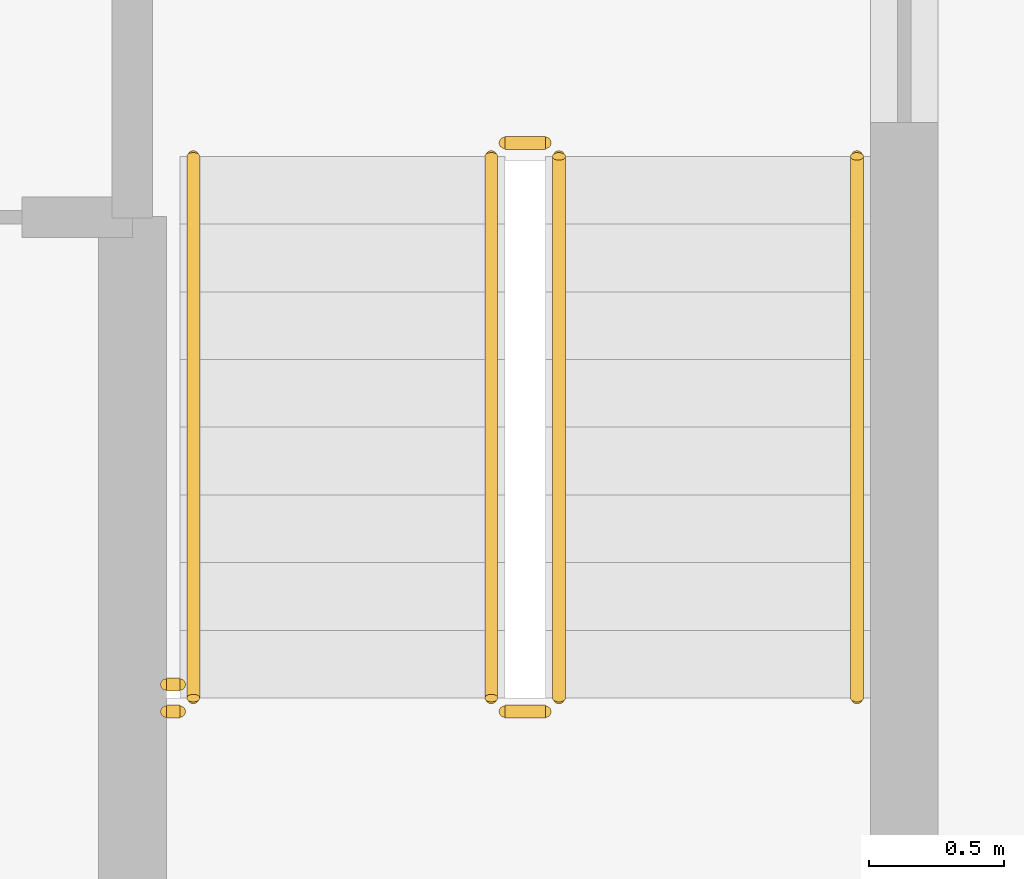
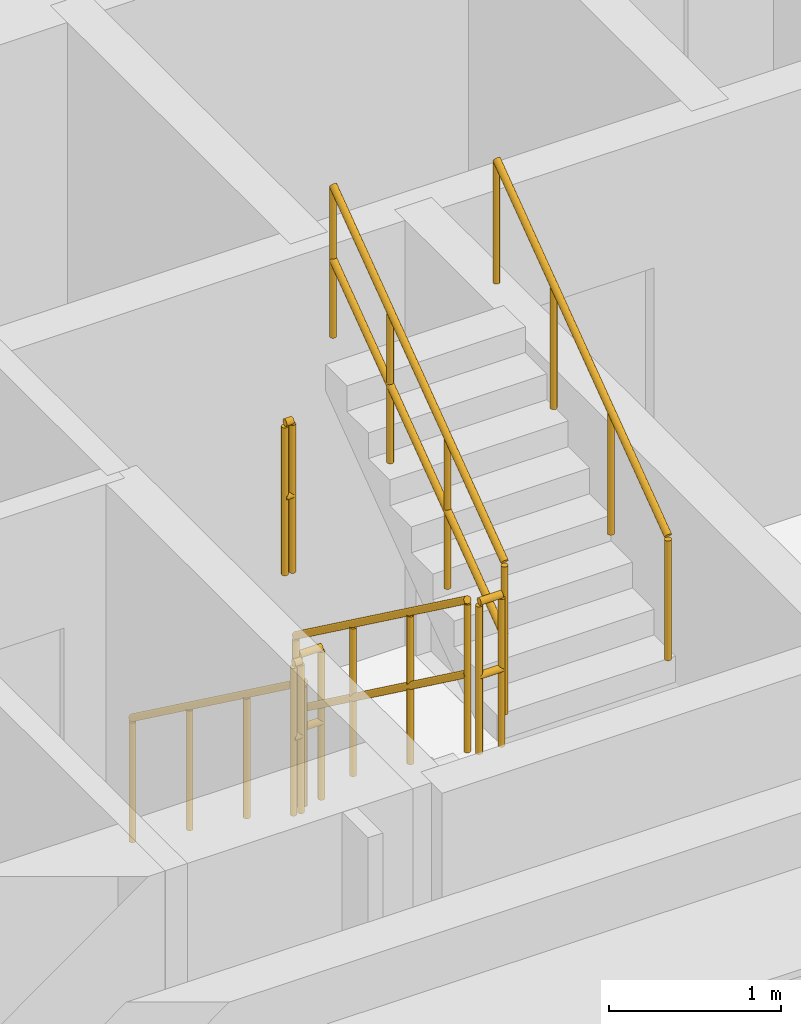
# One storey, part 15 of 17: 8 railings.
"""IFC4 building model written with IfcOpenShell, lengths in metres."""

import ifcopenshell
import ifcopenshell.guid

model = None  # the IFC model being written
_history = None  # IfcOwnerHistory: only IFC2X3 demands one
_inside = {}  # id of a spatial element -> (the spatial element, [elements in it])
_under = {}  # id of a project, library or spatial element -> (it, [spatial elements below it])
_declared = {}  # id of a project -> (the project, [libraries it declares])
_typed = {}  # id of a type object -> (the type object, [elements of that type])
_made_of = {}  # id of a material, layer set ... -> (it, [elements and type objects made of it])


def new_model(schema):
    """Start an empty IFC model of exactly this schema.

    Asked for "IFC4X3", IfcOpenShell would pick the latest addendum, in which some entities
    have other attributes; the version numbers below select the first issue.
    IFC2X3 requires an IfcOwnerHistory on every rooted entity: one is made here for all.
    """
    global model, _history
    if schema == "IFC4X3":
        model = ifcopenshell.file(schema_version=(4, 3, 0, 0))
    else:
        model = ifcopenshell.file(schema=schema)
    _inside.clear()
    _under.clear()
    _declared.clear()
    _typed.clear()
    _made_of.clear()
    _history = None
    if model.schema == "IFC2X3":
        org = make("IfcOrganization", Name="unknown")
        user = make(
            "IfcPersonAndOrganization",
            ThePerson=make("IfcPerson", FamilyName="unknown"),
            TheOrganization=org,
        )
        app = make(
            "IfcApplication",
            ApplicationDeveloper=org,
            Version="unknown",
            ApplicationFullName="unknown",
            ApplicationIdentifier="unknown",
        )
        _history = make(
            "IfcOwnerHistory",
            OwningUser=user,
            OwningApplication=app,
            ChangeAction="ADDED",
            CreationDate=0,
        )
    return model


def make(cls, **values):
    """One entity of the class cls with the attributes given. An attribute that is None is left unset."""
    return model.create_entity(
        cls, **{name: value for name, value in values.items() if value is not None}
    )


def rooted(cls, **values):
    """An entity with a GlobalId (a new one), such as an element, a storey or a relation."""
    return make(cls, GlobalId=ifcopenshell.guid.new(), OwnerHistory=_history, **values)


def si_unit(unit_type, name, prefix=None):
    """IfcSIUnit, for example si_unit("LENGTHUNIT", "METRE", prefix="MILLI")."""
    return make("IfcSIUnit", UnitType=unit_type, Prefix=prefix, Name=name)


def assignment(units):
    """IfcUnitAssignment: the units of a project."""
    return None if units is None else make("IfcUnitAssignment", Units=units)


def point(xyz):
    """IfcCartesianPoint."""
    return None if xyz is None else make("IfcCartesianPoint", Coordinates=xyz)


def direction(xyz):
    """IfcDirection."""
    return None if xyz is None else make("IfcDirection", DirectionRatios=xyz)


def frame(location, z_axis=None, x_axis=None):
    """IfcAxis2Placement3D, a coordinate frame: its origin and axes. An axis left out is left unset."""
    return make(
        "IfcAxis2Placement3D",
        Location=point(location),
        Axis=direction(z_axis),
        RefDirection=direction(x_axis),
    )


def frame_2d(location, x_axis=None):
    """IfcAxis2Placement2D, a coordinate frame in the plane: its origin and x axis."""
    return make(
        "IfcAxis2Placement2D", Location=point(location), RefDirection=direction(x_axis)
    )


def origin():
    """The frame at (0, 0, 0) with its axes left unset."""
    return frame((0.0, 0.0, 0.0))


def origin_2d():
    """The frame at (0, 0) in the plane with its x axis left unset."""
    return frame_2d((0.0, 0.0))


def place(relative_to, where):
    """IfcLocalPlacement: puts the frame where relative to a parent placement (None: the world)."""
    return make(
        "IfcLocalPlacement", PlacementRelTo=relative_to, RelativePlacement=where
    )


def context(
    kind, dimensions, precision=None, world=None, true_north=None, identifier=None
):
    """IfcGeometricRepresentationContext, for example the 3D "Model" context."""
    return make(
        "IfcGeometricRepresentationContext",
        ContextIdentifier=identifier,
        ContextType=kind,
        CoordinateSpaceDimension=dimensions,
        Precision=precision,
        WorldCoordinateSystem=world,
        TrueNorth=true_north,
    )


def subcontext(parent, identifier, kind, view, scale=None):
    """IfcGeometricRepresentationSubContext, for example "Body" below "Model"."""
    return make(
        "IfcGeometricRepresentationSubContext",
        ContextIdentifier=identifier,
        ContextType=kind,
        ParentContext=parent,
        TargetScale=scale,
        TargetView=view,
    )


def project(units=None, contexts=None):
    """IfcProject with its units and contexts."""
    return rooted(
        "IfcProject",
        Name="project",
        RepresentationContexts=contexts,
        UnitsInContext=assignment(units),
    )


def spatial(cls, under=None, at=None, **own):
    """A site, building, storey or space (cls), placed at a placement, below another one or the project."""
    s = rooted(cls, ObjectPlacement=at, **own)
    if under is not None:
        _under.setdefault(under.id(), (under, []))[1].append(s)
    return s


def profile(cls, at=None, kind="AREA", **sizes):
    """A parametric profile (cls). Its sizes go by their IFC names, for example OverallWidth=200.0."""
    return make(cls, ProfileType=kind, Position=at, **sizes)


def circle(**sizes):
    """IfcCircleProfileDef."""
    return profile("IfcCircleProfileDef", **sizes)


def extrude(swept, where, along, depth):
    """IfcExtrudedAreaSolid: the profile swept, set in the frame where, extruded along a direction by depth."""
    return make(
        "IfcExtrudedAreaSolid",
        SweptArea=swept,
        Position=where,
        ExtrudedDirection=direction(along),
        Depth=depth,
    )


def shape(context_of_items, identifier, shape_type, items):
    """IfcShapeRepresentation: the items that make up one representation, for example the "Body"."""
    return make(
        "IfcShapeRepresentation",
        ContextOfItems=context_of_items,
        RepresentationIdentifier=identifier,
        RepresentationType=shape_type,
        Items=items,
    )


def material(Name=None, Category=None):
    """IfcMaterial."""
    return make("IfcMaterial", Name=Name, Category=Category)


def made_of(thing, what):
    """Note that an element or type object is made of a material, layer set ...; save() writes the relation."""
    if what is not None:
        _made_of.setdefault(what.id(), (what, []))[1].append(thing)
    return thing


def type_object(cls, material=None, **own):
    """A type object (cls), such as IfcWallType, which elements share."""
    return made_of(rooted(cls, **own), material)


def element(
    cls,
    number,
    at=None,
    inside=None,
    cuts=None,
    type_object=None,
    material=None,
    context=None,
    identifier="Body",
    shape_type=None,
    held_by="IfcProductDefinitionShape",
    body=None,
    shapes=None,
    **own,
):
    """One element of the class cls, such as IfcWall. Its Tag is "e" and its number.

    at: its placement. inside: the storey or other place that contains it. cuts: it is an
    opening in that element (IfcRelVoidsElement). A single representation is given by context,
    identifier, shape_type and body (its items); several are given by shapes. held_by: the class
    of the entity that holds the representations. save() writes the other relations.
    """
    e = rooted(cls, Tag="e%d" % number, ObjectPlacement=at, **own)
    if body is not None:
        shapes = [shape(context, identifier, shape_type, body)]
    if shapes is not None:
        e.Representation = make(held_by, Representations=shapes)
    if inside is not None:
        _inside.setdefault(inside.id(), (inside, []))[1].append(e)
    if cuts is not None:
        rooted(
            "IfcRelVoidsElement", RelatingBuildingElement=cuts, RelatedOpeningElement=e
        )
    if type_object is not None:
        _typed.setdefault(type_object.id(), (type_object, []))[1].append(e)
    return made_of(e, material)


def aggregate(whole, parts):
    """IfcRelAggregates: a whole, such as a stair, and the parts it consists of."""
    return rooted("IfcRelAggregates", RelatingObject=whole, RelatedObjects=parts)


def save(model, path):
    """Write the relations noted so far, then the file.

    IfcRelAggregates (storeys below a building ...), IfcRelContainedInSpatialStructure (elements
    in a storey), IfcRelDefinesByType, IfcRelAssociatesMaterial and IfcRelDeclares: one each for
    every whole, place, type object, material and project.
    """
    for whole, parts in _under.values():
        aggregate(whole, parts)
    for where, things in _inside.values():
        rooted(
            "IfcRelContainedInSpatialStructure",
            RelatedElements=things,
            RelatingStructure=where,
        )
    for kind, things in _typed.values():
        rooted("IfcRelDefinesByType", RelatedObjects=things, RelatingType=kind)
    for what, things in _made_of.values():
        rooted("IfcRelAssociatesMaterial", RelatedObjects=things, RelatingMaterial=what)
    for by, libraries in _declared.values():
        rooted("IfcRelDeclares", RelatingContext=by, RelatedDefinitions=libraries)
    model.write(path)


model = new_model("IFC4")

# Units and contexts
model_context = context("Model", 3, precision=1e-05, world=origin(), true_north=direction((0.0, 1.0)))
body_context = subcontext(model_context, "Body", "Model", "MODEL_VIEW")
ifc_project = project(units=[si_unit("LENGTHUNIT", "METRE"), si_unit("AREAUNIT", "SQUARE_METRE"), si_unit("VOLUMEUNIT", "CUBIC_METRE"), si_unit("PLANEANGLEUNIT", "RADIAN"), si_unit("MASSUNIT", "GRAM", prefix="KILO")], contexts=[model_context])

# Site, building, storey
site_placement = place(None, origin())
site = spatial("IfcSite", under=ifc_project, at=site_placement, CompositionType="ELEMENT")
building_placement = place(site_placement, origin())
building = spatial("IfcBuilding", under=site, at=building_placement, Name="Nakaniwa Court", CompositionType="ELEMENT")
storey_placement = place(building_placement, frame((0.0, 0.0, 206.39990234375)))
storey = spatial("IfcBuildingStorey", under=building, at=storey_placement, Name="L54", CompositionType="ELEMENT", Elevation=206.39990234375)

# Railings
ifc_material_1 = material(Name="Black powder coated steel guard", Category="steel")
railing_type_1 = type_object("IfcRailingType", Name="Stair guard 1100", PredefinedType="GUARDRAIL", material=ifc_material_1)
railing_1_placement = place(storey_placement, frame((81.875, 61.824951171875, 0.183349609375)))
element("IfcRailing", 1, at=railing_1_placement, inside=storey, type_object=railing_type_1, Name="L54 ST4 stair guard 1", PredefinedType="GUARDRAIL", context=body_context, shape_type="SweptSolid", body=[
    extrude(circle(Radius=0.02392578125, at=origin_2d()), frame((0.0, 0.0, 1.076171875), z_axis=(0.0, -0.806379959628, 0.591397802423), x_axis=(1.0, 0.0, 0.0)), (0.0, 0.0, 1.0), 2.480224609375),
    extrude(circle(Radius=0.02392578125, at=origin_2d()), frame((0.0, 0.0, 0.550048828125), z_axis=(0.0, -0.806379959628, 0.591397802423), x_axis=(1.0, 0.0, 0.0)), (0.0, 0.0, 1.0), 2.480224609375),
    extrude(circle(Radius=0.02099609375, at=origin_2d()), origin(), (0.0, 0.0, 1.0), 1.052001953125),
    extrude(circle(Radius=0.02099609375, at=origin_2d()), frame((0.0, -0.666748046875, 0.489013671875)), (0.0, 0.0, 1.0), 1.052001953125),
    extrude(circle(Radius=0.02099609375, at=origin_2d()), frame((0.0, -1.333251953125, 0.977783203125)), (0.0, 0.0, 1.0), 1.052001953125),
    extrude(circle(Radius=0.02099609375, at=origin_2d()), frame((0.0, -2.0, 1.466796875)), (0.0, 0.0, 1.0), 1.052001953125),
])
railing_2_placement = place(storey_placement, frame((81.925048828125, 59.77490234375, 1.650146484375)))
element("IfcRailing", 2, at=railing_2_placement, inside=storey, type_object=railing_type_1, Name="L54 ST4 stair guard 2", PredefinedType="GUARDRAIL", context=body_context, shape_type="SweptSolid", body=[
    extrude(circle(Radius=0.02392578125, at=origin_2d()), frame((0.0, 0.0, 1.076171875), z_axis=(1.0, 0.0, 0.0), x_axis=(0.0, 1.0, 0.0)), (0.0, 0.0, 1.0), 0.14990234375),
    extrude(circle(Radius=0.02392578125, at=origin_2d()), frame((0.0, 0.0, 0.550048828125), z_axis=(1.0, 0.0, 0.0), x_axis=(0.0, 1.0, 0.0)), (0.0, 0.0, 1.0), 0.14990234375),
    extrude(circle(Radius=0.02099609375, at=origin_2d()), origin(), (0.0, 0.0, 1.0), 1.052001953125),
    extrude(circle(Radius=0.02099609375, at=origin_2d()), frame((0.14990234375, 0.0, 0.0)), (0.0, 0.0, 1.0), 1.052001953125),
])
railing_3_placement = place(storey_placement, frame((82.125, 59.824951171875, 1.83349609375)))
element("IfcRailing", 3, at=railing_3_placement, inside=storey, type_object=railing_type_1, Name="L54 ST4 stair guard 3", PredefinedType="GUARDRAIL", context=body_context, shape_type="SweptSolid", body=[
    extrude(circle(Radius=0.02392578125, at=origin_2d()), frame((0.0, 0.0, 1.076171875), z_axis=(0.0, 0.806426902644, 0.591333789573), x_axis=(-1.0, 0.0, 0.0)), (0.0, 0.0, 1.0), 2.47998046875),
    extrude(circle(Radius=0.02392578125, at=origin_2d()), frame((0.0, 0.0, 0.550048828125), z_axis=(0.0, 0.806426902644, 0.591333789573), x_axis=(-1.0, 0.0, 0.0)), (0.0, 0.0, 1.0), 2.47998046875),
    extrude(circle(Radius=0.02099609375, at=origin_2d()), origin(), (0.0, 0.0, 1.0), 1.052001953125),
    extrude(circle(Radius=0.02099609375, at=origin_2d()), frame((0.0, 0.666748046875, 0.48876953125)), (0.0, 0.0, 1.0), 1.052001953125),
    extrude(circle(Radius=0.02099609375, at=origin_2d()), frame((0.0, 1.333251953125, 0.977783203125)), (0.0, 0.0, 1.0), 1.052001953125),
    extrude(circle(Radius=0.02099609375, at=origin_2d()), frame((0.0, 2.0, 1.466552734375)), (0.0, 0.0, 1.0), 1.052001953125),
])
railing_4_placement = place(storey_placement, frame((81.925048828125, 61.875, 0.0)))
element("IfcRailing", 4, at=railing_4_placement, inside=storey, type_object=railing_type_1, Name="L54 ST4 stair guard 4", PredefinedType="GUARDRAIL", context=body_context, shape_type="SweptSolid", body=[
    extrude(circle(Radius=0.02392578125, at=origin_2d()), frame((0.0, 0.0, 1.076171875), z_axis=(1.0, 0.0, 0.0), x_axis=(0.0, 1.0, 0.0)), (0.0, 0.0, 1.0), 0.14990234375),
    extrude(circle(Radius=0.02392578125, at=origin_2d()), frame((0.0, 0.0, 0.550048828125), z_axis=(1.0, 0.0, 0.0), x_axis=(0.0, 1.0, 0.0)), (0.0, 0.0, 1.0), 0.14990234375),
    extrude(circle(Radius=0.02099609375, at=origin_2d()), origin(), (0.0, 0.0, 1.0), 1.052001953125),
    extrude(circle(Radius=0.02099609375, at=origin_2d()), frame((0.14990234375, 0.0, 0.0)), (0.0, 0.0, 1.0), 1.052001953125),
])
for number, where, name in (
    (5, (80.675048828125, 59.77490234375, 1.650146484375), "L54 ST4 landing side guard 1W"),
    (6, (80.675048828125, 59.875, 3.300048828125), "L54 ST4 floor edge guard 1W"),
):
    element("IfcRailing", number, at=place(storey_placement, frame(where)), inside=storey, type_object=railing_type_1, Name=name, PredefinedType="GUARDRAIL", context=body_context, shape_type="SweptSolid", body=[
        extrude(circle(Radius=0.02392578125, at=origin_2d()), frame((0.0, 0.0, 1.076171875), z_axis=(1.0, 0.0, 0.0), x_axis=(0.0, 1.0, 0.0)), (0.0, 0.0, 1.0), 0.050048828125),
        extrude(circle(Radius=0.02392578125, at=origin_2d()), frame((0.0, 0.0, 0.550048828125), z_axis=(1.0, 0.0, 0.0), x_axis=(0.0, 1.0, 0.0)), (0.0, 0.0, 1.0), 0.050048828125),
        extrude(circle(Radius=0.02099609375, at=origin_2d()), origin(), (0.0, 0.0, 1.0), 1.052001953125),
        extrude(circle(Radius=0.02099609375, at=origin_2d()), frame((0.050048828125, 0.0, 0.0)), (0.0, 0.0, 1.0), 1.052001953125),
    ])
ifc_material_2 = material(Name="Black powder coated steel handrail", Category="steel")
railing_type_2 = type_object("IfcRailingType", Name="Stair handrail 900", PredefinedType="HANDRAIL", material=ifc_material_2)
railing_5_placement = place(storey_placement, frame((80.77490234375, 61.824951171875, 0.183349609375)))
element("IfcRailing", 7, at=railing_5_placement, inside=storey, type_object=railing_type_2, Name="L54 ST4 stair handrail 1", PredefinedType="HANDRAIL", context=body_context, shape_type="SweptSolid", body=[
    extrude(circle(Radius=0.02392578125, at=origin_2d()), frame((0.0, 0.0, 0.8759765625), z_axis=(0.0, -0.806379959628, 0.591397802423), x_axis=(1.0, 0.0, 0.0)), (0.0, 0.0, 1.0), 2.480224609375),
    extrude(circle(Radius=0.02099609375, at=origin_2d()), origin(), (0.0, 0.0, 1.0), 0.851806640625),
    extrude(circle(Radius=0.02099609375, at=origin_2d()), frame((0.0, -0.666748046875, 0.489013671875)), (0.0, 0.0, 1.0), 0.851806640625),
    extrude(circle(Radius=0.02099609375, at=origin_2d()), frame((0.0, -1.333251953125, 0.977783203125)), (0.0, 0.0, 1.0), 0.851806640625),
    extrude(circle(Radius=0.02099609375, at=origin_2d()), frame((0.0, -2.0, 1.466796875)), (0.0, 0.0, 1.0), 0.851806640625),
])
railing_6_placement = place(storey_placement, frame((83.22509765625, 59.824951171875, 1.83349609375)))
element("IfcRailing", 8, at=railing_6_placement, inside=storey, type_object=railing_type_2, Name="L54 ST4 stair handrail 2", PredefinedType="HANDRAIL", context=body_context, shape_type="SweptSolid", body=[
    extrude(circle(Radius=0.02392578125, at=origin_2d()), frame((0.0, 0.0, 0.8759765625), z_axis=(0.0, 0.806426902644, 0.591333789573), x_axis=(-1.0, 0.0, 0.0)), (0.0, 0.0, 1.0), 2.47998046875),
    extrude(circle(Radius=0.02099609375, at=origin_2d()), origin(), (0.0, 0.0, 1.0), 0.851806640625),
    extrude(circle(Radius=0.02099609375, at=origin_2d()), frame((0.0, 0.666748046875, 0.48876953125)), (0.0, 0.0, 1.0), 0.851806640625),
    extrude(circle(Radius=0.02099609375, at=origin_2d()), frame((0.0, 1.333251953125, 0.977783203125)), (0.0, 0.0, 1.0), 0.851806640625),
    extrude(circle(Radius=0.02099609375, at=origin_2d()), frame((0.0, 2.0, 1.466552734375)), (0.0, 0.0, 1.0), 0.851806640625),
])

save(model, "model.ifc")
